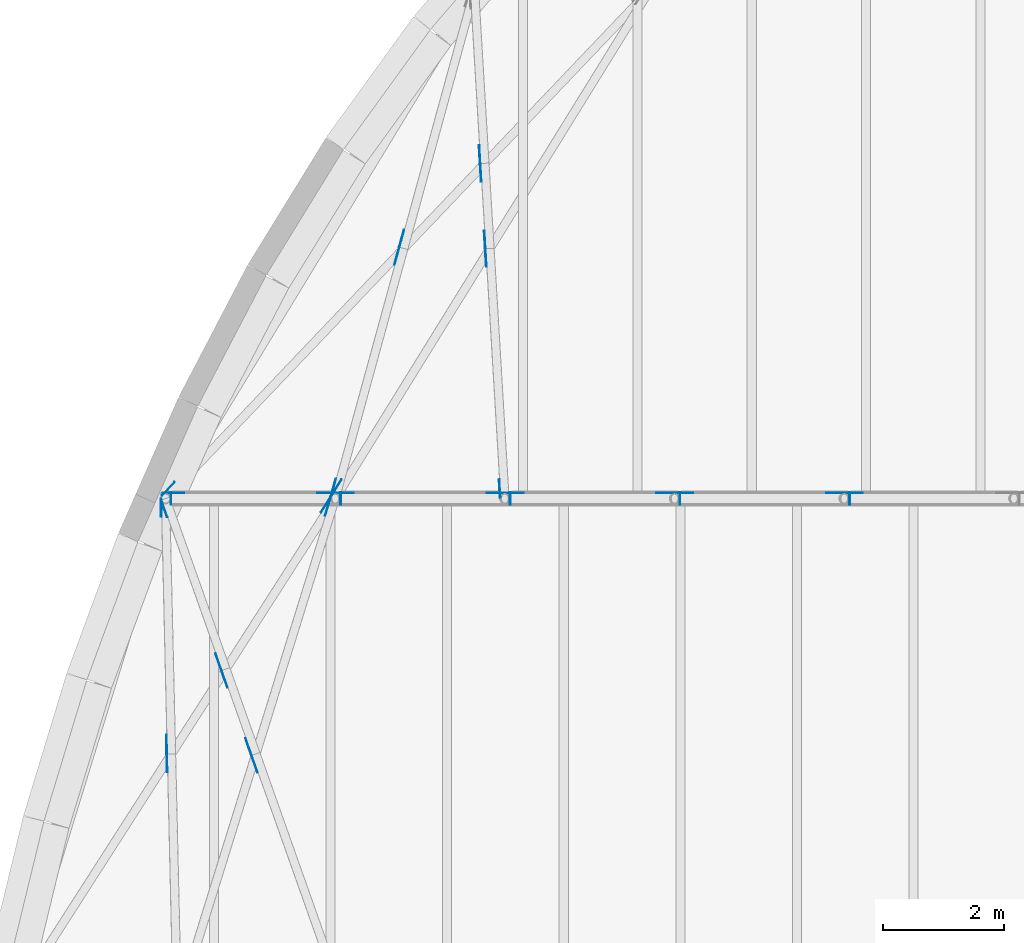
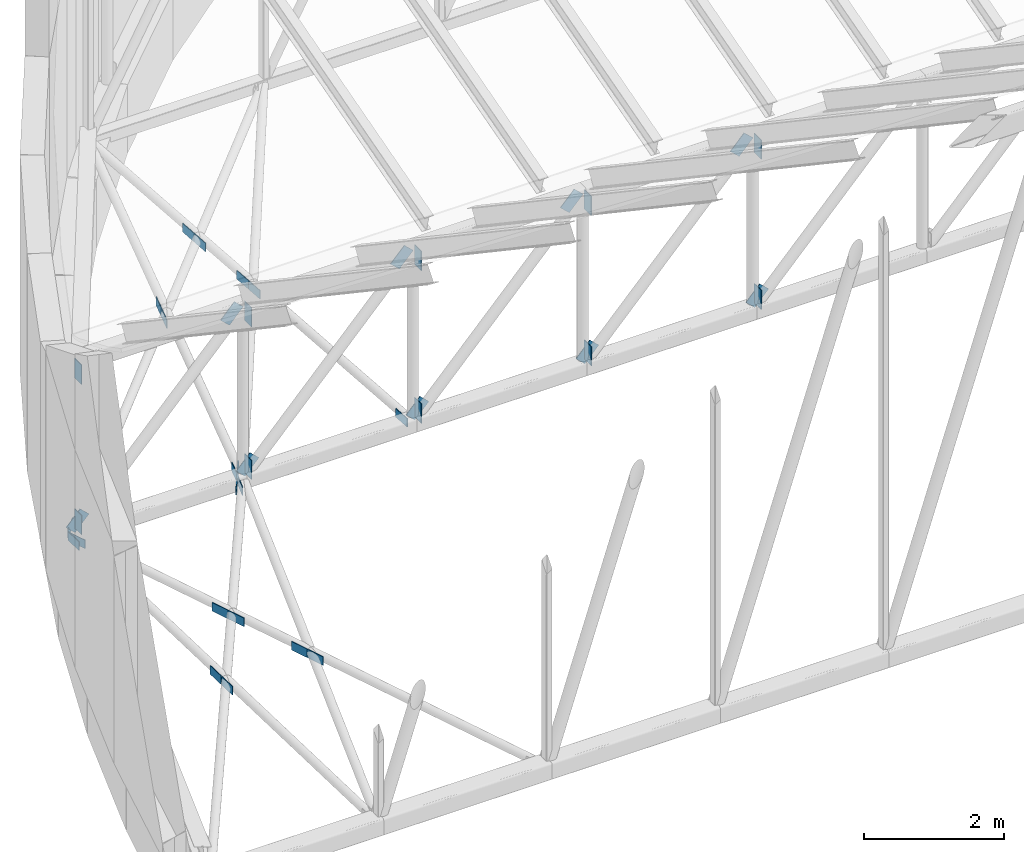
# One storey, part 60 of 68: 39 discrete accessories.
"""IFC4 building model written with IfcOpenShell, lengths in metres."""

from ifc_helpers import new_model, si_unit, direction, frame, origin, origin_2d, place, context, subcontext, project, spatial, rectangle, extrude, material, material_profile, profile_set, type_object, element, save


model = new_model("IFC4")

# Units and contexts
model_context = context("Model", 3, precision=1e-05, world=origin(), true_north=direction((0.0, 1.0)))
body_context = subcontext(model_context, "Body", "Model", "MODEL_VIEW")
ifc_project = project(units=[si_unit("LENGTHUNIT", "METRE"), si_unit("AREAUNIT", "SQUARE_METRE"), si_unit("VOLUMEUNIT", "CUBIC_METRE"), si_unit("PLANEANGLEUNIT", "RADIAN"), si_unit("MASSUNIT", "GRAM", prefix="KILO")], contexts=[model_context])

# Site, building, storey
site_placement = place(None, origin())
site = spatial("IfcSite", under=ifc_project, at=site_placement, CompositionType="ELEMENT")
building_placement = place(site_placement, origin())
building = spatial("IfcBuilding", under=site, at=building_placement, Name="Larchfold Concert Hall", CompositionType="ELEMENT")
storey_placement = place(building_placement, frame((0.0, 0.0, 28.800048828125)))
storey = spatial("IfcBuildingStorey", under=building, at=storey_placement, Name="L06", CompositionType="ELEMENT", Elevation=28.800048828125)

# Discrete accessories
ifc_material_1 = material(Name="Steel S355 galvanised bracket", Category="steel")
ifc_material_profile_1 = material_profile(ifc_material_1, rectangle(XDim=0.011962890625, YDim=0.14990234375, at=origin_2d()))
ifc_profile_set_1 = profile_set([ifc_material_profile_1], Name="Steel S355 galvanised bracket")
discrete_accessory_type_1 = type_object("IfcDiscreteAccessoryType", Name="Gusset plate 12x150", PredefinedType="BRACKET", material=ifc_profile_set_1)
for number, where, z_axis, x_axis, name in (
    (1, (24.1376953125, 101.771484375, 0.0), (0.539399951054, 0.842049697347, 0.0), (-0.842049697347, 0.539399951054, 0.0), "Gusset plate GP0602"),
    (2, (21.599365234375, 97.478515625, 0.0), (-0.023589853458, 0.999721720687, 0.0), (-0.999721720687, -0.023589853458, 0.0), "Gusset plate GP0604"),
):
    element("IfcDiscreteAccessory", number, at=place(storey_placement, frame(where, z_axis=z_axis, x_axis=x_axis)), inside=storey, type_object=discrete_accessory_type_1, Name=name, PredefinedType="BRACKET", context=body_context, shape_type="SweptSolid", body=[
        extrude(rectangle(XDim=0.011962890625, YDim=0.14990234375, at=origin_2d()), origin(), (0.0, 0.0, 1.0), 0.300048828125),
    ])
discrete_accessory_1_placement = place(storey_placement, frame((21.592041015625, 97.798583984375, 0.0), z_axis=(-0.023609052733, 0.999721267469, 0.0), x_axis=(-0.999721267469, -0.023609052733, 0.0)))
element("IfcDiscreteAccessory", 3, at=discrete_accessory_1_placement, inside=storey, type_object=discrete_accessory_type_1, Name="Gusset plate GP0605", PredefinedType="BRACKET", context=body_context, shape_type="SweptSolid", body=[
    extrude(rectangle(XDim=0.011962890625, YDim=0.14990234375, at=origin_2d()), origin(), (0.0, 0.0, 1.0), 0.2998046875),
])
for number, where, z_axis, x_axis, name in (
    (4, (21.50146484375, 101.6982421875, 0.0), (-0.023589853458, 0.999721720687, 0.0), (-0.999721720687, -0.023589853458, 0.0), "Gusset plate GP0606"),
    (5, (24.20703125, 101.716796875, 0.0), (0.296143305808, 0.955143519281, 0.0), (-0.955143519281, 0.296143305808, 0.0), "Gusset plate GP0608"),
):
    element("IfcDiscreteAccessory", number, at=place(storey_placement, frame(where, z_axis=z_axis, x_axis=x_axis)), inside=storey, type_object=discrete_accessory_type_1, Name=name, PredefinedType="BRACKET", context=body_context, shape_type="SweptSolid", body=[
        extrude(rectangle(XDim=0.011962890625, YDim=0.14990234375, at=origin_2d()), origin(), (0.0, 0.0, 1.0), 0.300048828125),
    ])
discrete_accessory_2_placement = place(storey_placement, frame((23.09228515625, 97.472412109375, 0.0), z_axis=(-0.333756726613, 0.942659242484, 0.0), x_axis=(-0.942659242484, -0.333756726613, 0.0)))
element("IfcDiscreteAccessory", 6, at=discrete_accessory_2_placement, inside=storey, type_object=discrete_accessory_type_1, Name="Gusset plate GP0610", PredefinedType="BRACKET", context=body_context, shape_type="SweptSolid", body=[
    extrude(rectangle(XDim=0.011962890625, YDim=0.14990234375, at=origin_2d()), origin(), (0.0, 0.0, 1.0), 0.2998046875),
])
discrete_accessory_3_placement = place(storey_placement, frame((22.9921875, 97.755126953125, 0.0), z_axis=(-0.333500798114, 0.942749817108, 0.0), x_axis=(-0.942749817108, -0.333500798114, 0.0)))
element("IfcDiscreteAccessory", 7, at=discrete_accessory_3_placement, inside=storey, type_object=discrete_accessory_type_1, Name="Gusset plate GP0611", PredefinedType="BRACKET", context=body_context, shape_type="SweptSolid", body=[
    extrude(rectangle(XDim=0.011962890625, YDim=0.14990234375, at=origin_2d()), origin(), (0.0, 0.0, 1.0), 0.300048828125),
])
discrete_accessory_4_placement = place(storey_placement, frame((22.59619140625, 98.87451171875, 0.0), z_axis=(-0.333756726613, 0.942659242484, 0.0), x_axis=(-0.942659242484, -0.333756726613, 0.0)))
element("IfcDiscreteAccessory", 8, at=discrete_accessory_4_placement, inside=storey, type_object=discrete_accessory_type_1, Name="Gusset plate GP0612", PredefinedType="BRACKET", context=body_context, shape_type="SweptSolid", body=[
    extrude(rectangle(XDim=0.011962890625, YDim=0.14990234375, at=origin_2d()), origin(), (0.0, 0.0, 1.0), 0.2998046875),
])
discrete_accessory_5_placement = place(storey_placement, frame((22.49609375, 99.1572265625, 0.0), z_axis=(-0.333500798114, 0.942749817108, 0.0), x_axis=(-0.942749817108, -0.333500798114, 0.0)))
element("IfcDiscreteAccessory", 9, at=discrete_accessory_5_placement, inside=storey, type_object=discrete_accessory_type_1, Name="Gusset plate GP0613", PredefinedType="BRACKET", context=body_context, shape_type="SweptSolid", body=[
    extrude(rectangle(XDim=0.011962890625, YDim=0.14990234375, at=origin_2d()), origin(), (0.0, 0.0, 1.0), 0.300048828125),
])
discrete_accessory_6_placement = place(storey_placement, frame((21.598876953125, 101.69189453125, 0.0), z_axis=(-0.333756726613, 0.942659242484, 0.0), x_axis=(-0.942659242484, -0.333756726613, 0.0)))
element("IfcDiscreteAccessory", 10, at=discrete_accessory_6_placement, inside=storey, type_object=discrete_accessory_type_1, Name="Gusset plate GP0614", PredefinedType="BRACKET", context=body_context, shape_type="SweptSolid", body=[
    extrude(rectangle(XDim=0.011962890625, YDim=0.14990234375, at=origin_2d()), origin(), (0.0, 0.0, 1.0), 0.2998046875),
])
for number, where, z_axis, x_axis, name in (
    (11, (21.515380859375, 102.05224609375, 0.0), (0.689817654441, 0.723983151477, 0.0), (-0.723983151477, 0.689817654441, 0.0), "Gusset plate GP0615"),
    (12, (24.306396484375, 102.039306640625, 0.0), (0.264494386565, 0.964387224861, 0.0), (-0.964387224861, 0.264494386565, 0.0), "Gusset plate GP0617"),
):
    element("IfcDiscreteAccessory", number, at=place(storey_placement, frame(where, z_axis=z_axis, x_axis=x_axis)), inside=storey, type_object=discrete_accessory_type_1, Name=name, PredefinedType="BRACKET", context=body_context, shape_type="SweptSolid", body=[
        extrude(rectangle(XDim=0.011962890625, YDim=0.14990234375, at=origin_2d()), origin(), (0.0, 0.0, 1.0), 0.300048828125),
    ])
discrete_accessory_7_placement = place(storey_placement, frame((25.35400390625, 105.86328125, 0.0), z_axis=(0.263737246716, 0.964594559748, 0.0), x_axis=(-0.964594559748, 0.263737246716, 0.0)))
element("IfcDiscreteAccessory", 13, at=discrete_accessory_7_placement, inside=storey, type_object=discrete_accessory_type_1, Name="Gusset plate GP0618", PredefinedType="BRACKET", context=body_context, shape_type="SweptSolid", body=[
    extrude(rectangle(XDim=0.011962890625, YDim=0.14990234375, at=origin_2d()), origin(), (0.0, 0.0, 1.0), 0.2998046875),
])
for number, where, z_axis, x_axis, name in (
    (14, (25.43310546875, 106.152587890625, 0.0), (0.264494386565, 0.964387224861, 0.0), (-0.964387224861, 0.264494386565, 0.0), "Gusset plate GP0619"),
    (15, (24.3203125, 102.056884765625, 0.0), (0.525822097538, 0.850594569546, 0.0), (-0.850594569546, 0.525822097538, 0.0), "Gusset plate GP0621"),
    (16, (27.101318359375, 102.015380859375, 0.0), (-0.059389686922, 0.99823487471, 0.0), (-0.99823487471, -0.059389686922, 0.0), "Gusset plate GP0623"),
):
    element("IfcDiscreteAccessory", number, at=place(storey_placement, frame(where, z_axis=z_axis, x_axis=x_axis)), inside=storey, type_object=discrete_accessory_type_1, Name=name, PredefinedType="BRACKET", context=body_context, shape_type="SweptSolid", body=[
        extrude(rectangle(XDim=0.011962890625, YDim=0.14990234375, at=origin_2d()), origin(), (0.0, 0.0, 1.0), 0.300048828125),
    ])
discrete_accessory_8_placement = place(storey_placement, frame((26.873046875, 105.82861328125, 0.0), z_axis=(-0.059437957686, 0.998232001684, 0.0), x_axis=(-0.998232001684, -0.059437957686, 0.0)))
element("IfcDiscreteAccessory", 17, at=discrete_accessory_8_placement, inside=storey, type_object=discrete_accessory_type_1, Name="Gusset plate GP0624", PredefinedType="BRACKET", context=body_context, shape_type="SweptSolid", body=[
    extrude(rectangle(XDim=0.011962890625, YDim=0.14990234375, at=origin_2d()), origin(), (0.0, 0.0, 1.0), 0.2998046875),
])
discrete_accessory_9_placement = place(storey_placement, frame((26.855224609375, 106.1279296875, 0.0), z_axis=(-0.060200315733, 0.998186316269, 0.0), x_axis=(-0.998186316269, -0.060200315733, 0.0)))
element("IfcDiscreteAccessory", 18, at=discrete_accessory_9_placement, inside=storey, type_object=discrete_accessory_type_1, Name="Gusset plate GP0625", PredefinedType="BRACKET", context=body_context, shape_type="SweptSolid", body=[
    extrude(rectangle(XDim=0.011962890625, YDim=0.14990234375, at=origin_2d()), origin(), (0.0, 0.0, 1.0), 0.300048828125),
])
discrete_accessory_10_placement = place(storey_placement, frame((26.788818359375, 107.235595703125, 0.0), z_axis=(-0.060249240593, 0.998183364422, 0.0), x_axis=(-0.998183364422, -0.060249240593, 0.0)))
element("IfcDiscreteAccessory", 19, at=discrete_accessory_10_placement, inside=storey, type_object=discrete_accessory_type_1, Name="Gusset plate GP0626", PredefinedType="BRACKET", context=body_context, shape_type="SweptSolid", body=[
    extrude(rectangle(XDim=0.011962890625, YDim=0.14990234375, at=origin_2d()), origin(), (0.0, 0.0, 1.0), 0.2998046875),
])
discrete_accessory_11_placement = place(storey_placement, frame((26.770751953125, 107.534912109375, 0.0), z_axis=(-0.060200315733, 0.998186316269, 0.0), x_axis=(-0.998186316269, -0.060200315733, 0.0)))
element("IfcDiscreteAccessory", 20, at=discrete_accessory_11_placement, inside=storey, type_object=discrete_accessory_type_1, Name="Gusset plate GP0627", PredefinedType="BRACKET", context=body_context, shape_type="SweptSolid", body=[
    extrude(rectangle(XDim=0.011962890625, YDim=0.14990234375, at=origin_2d()), origin(), (0.0, 0.0, 1.0), 0.300048828125),
])
ifc_material_2 = material(Name="Steel S355 galvanised bracket", Category="steel")
ifc_material_profile_2 = material_profile(ifc_material_2, rectangle(XDim=0.011962890625, YDim=0.199951171875, at=origin_2d()))
ifc_profile_set_2 = profile_set([ifc_material_profile_2], Name="Steel S355 galvanised bracket")
discrete_accessory_type_2 = type_object("IfcDiscreteAccessoryType", Name="Gusset plate 12x200", PredefinedType="BRACKET", material=ifc_profile_set_2)
for number, where, z_axis, x_axis, name in (
    (21, (21.660400390625, 102.0, 2.97998046875), (0.0, 0.0, -1.0), (1.0, 0.0, 0.0), "Gusset plate GP0445"),
    (22, (21.660400390625, 102.0, 0.356689453125), (0.0, 0.0, -1.0), (1.0, 0.0, 0.0), "Gusset plate GP0446"),
    (23, (24.46435546875, 102.0, 3.0), (0.0, 0.0, -1.0), (1.0, 0.0, 0.0), "Gusset plate GP0447"),
    (24, (24.46435546875, 102.0, 0.336669921875), (0.0, 0.0, -1.0), (1.0, 0.0, 0.0), "Gusset plate GP0448"),
    (25, (27.268310546875, 102.0, 3.0), (0.0, 0.0, -1.0), (1.0, 0.0, 0.0), "Gusset plate GP0449"),
    (26, (27.268310546875, 102.0, 0.336669921875), (0.0, 0.0, -1.0), (1.0, 0.0, 0.0), "Gusset plate GP0450"),
    (27, (30.072265625, 102.0, 2.97998046875), (0.0, 0.0, -1.0), (1.0, 0.0, 0.0), "Gusset plate GP0451"),
    (28, (30.072265625, 102.0, 0.356689453125), (0.0, 0.0, -1.0), (1.0, 0.0, 0.0), "Gusset plate GP0452"),
    (29, (32.876220703125, 102.0, 2.97998046875), (0.0, 0.0, -1.0), (1.0, 0.0, 0.0), "Gusset plate GP0453"),
    (30, (32.876220703125, 102.0, 0.356689453125), (0.0, 0.0, -1.0), (1.0, 0.0, 0.0), "Gusset plate GP0454"),
):
    element("IfcDiscreteAccessory", number, at=place(storey_placement, frame(where, z_axis=z_axis, x_axis=x_axis)), inside=storey, type_object=discrete_accessory_type_2, Name=name, PredefinedType="BRACKET", context=body_context, shape_type="SweptSolid", body=[
        extrude(rectangle(XDim=0.011962890625, YDim=0.199951171875, at=origin_2d()), origin(), (0.0, 0.0, 1.0), 0.336669921875),
    ])
for number, where, z_axis, x_axis, name in (
    (31, (21.583984375, 102.090087890625, 0.0146484375), (0.682757602912, 0.0, 0.730644958695), (0.0, 1.0, 0.0), "Gusset plate GP0477"),
    (32, (24.130859375, 102.090087890625, 2.739501953125), (0.682757602912, 0.0, 0.730644958695), (0.0, 1.0, 0.0), "Gusset plate GP0478"),
    (33, (24.387939453125, 102.090087890625, 0.0146484375), (0.682757602912, 0.0, 0.730644958695), (0.0, 1.0, 0.0), "Gusset plate GP0479"),
    (34, (26.934814453125, 102.090087890625, 2.739501953125), (0.682757602912, 0.0, 0.730644958695), (0.0, 1.0, 0.0), "Gusset plate GP0480"),
    (35, (27.19189453125, 102.090087890625, 0.0146484375), (0.682757602912, 0.0, 0.730644958695), (0.0, 1.0, 0.0), "Gusset plate GP0481"),
    (36, (29.73876953125, 102.090087890625, 2.739501953125), (0.682757602912, 0.0, 0.730644958695), (0.0, 1.0, 0.0), "Gusset plate GP0482"),
    (37, (29.995849609375, 102.090087890625, 0.0146484375), (0.682757602912, 0.0, 0.730644958695), (0.0, 1.0, 0.0), "Gusset plate GP0483"),
    (38, (32.542724609375, 102.090087890625, 2.739501953125), (0.682757602912, 0.0, 0.730644958695), (0.0, 1.0, 0.0), "Gusset plate GP0484"),
    (39, (32.7998046875, 102.090087890625, 0.0146484375), (0.682757602912, 0.0, 0.730644958695), (0.0, 1.0, 0.0), "Gusset plate GP0485"),
):
    element("IfcDiscreteAccessory", number, at=place(storey_placement, frame(where, z_axis=z_axis, x_axis=x_axis)), inside=storey, type_object=discrete_accessory_type_2, Name=name, PredefinedType="BRACKET", context=body_context, shape_type="SweptSolid", body=[
        extrude(rectangle(XDim=0.011962890625, YDim=0.199951171875, at=origin_2d()), origin(), (0.0, 0.0, 1.0), 0.33642578125),
    ])

save(model, "model.ifc")
